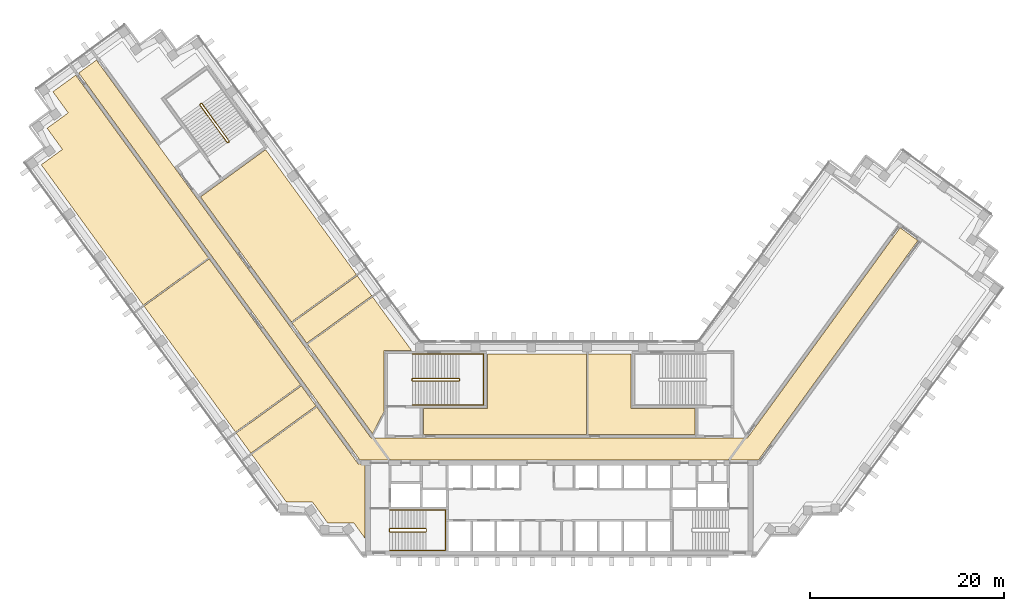
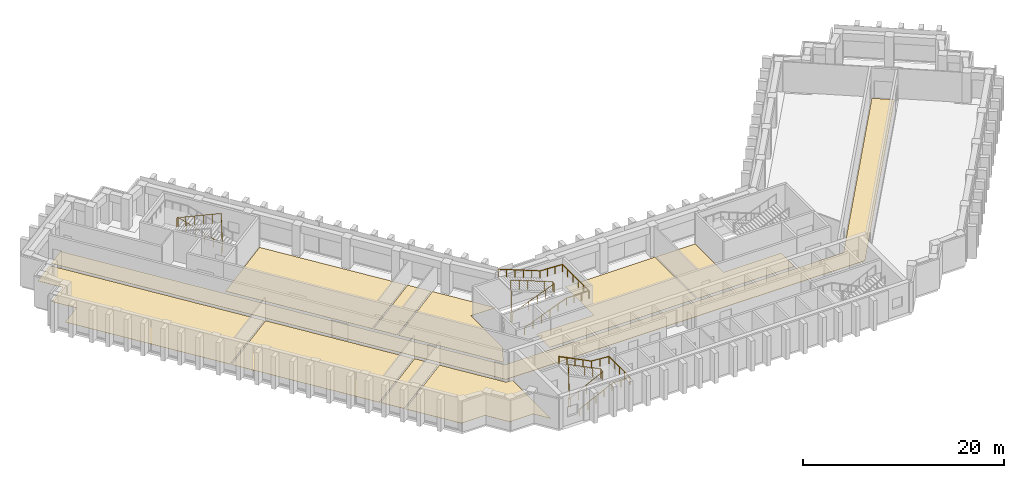
# One storey, part 12 of 13: 10 coverings, 5 railings.
"""IFC4 building model written with IfcOpenShell, lengths in metres."""

from ifc_helpers import new_model, si_unit, direction, frame, origin, origin_2d, place, context, subcontext, project, spatial, polyline, circle, outline, extrude, material, layer, layer_set, type_object, element, save


model = new_model("IFC4")

# Units and contexts
model_context = context("Model", 3, precision=1e-05, world=origin(), true_north=direction((0.0, 1.0)))
body_context = subcontext(model_context, "Body", "Model", "MODEL_VIEW")
ifc_project = project(units=[si_unit("LENGTHUNIT", "METRE"), si_unit("AREAUNIT", "SQUARE_METRE"), si_unit("VOLUMEUNIT", "CUBIC_METRE"), si_unit("PLANEANGLEUNIT", "RADIAN"), si_unit("MASSUNIT", "GRAM", prefix="KILO")], contexts=[model_context])

# Site, building, storey
site_placement = place(None, origin())
site = spatial("IfcSite", under=ifc_project, at=site_placement, CompositionType="ELEMENT")
building_placement = place(site_placement, origin())
building = spatial("IfcBuilding", under=site, at=building_placement, Name="Quipu Civic Tower", CompositionType="ELEMENT")
storey_placement = place(building_placement, frame((0.0, 0.0, 85.0)))
storey = spatial("IfcBuildingStorey", under=building, at=storey_placement, Name="L19", CompositionType="ELEMENT", Elevation=85.0)

# Coverings
ifc_material_1 = material(Name="Carpet tile on raised access floor")
ifc_layer_1 = layer(ifc_material_1, 0.02001953125)
ifc_layer_set_1 = layer_set([ifc_layer_1], Name="Carpet tile on raised access floor")
covering_type_1 = type_object("IfcCoveringType", Name="Carpet tile floor finish 20", PredefinedType="FLOORING", material=ifc_layer_set_1)
covering_1_placement = place(storey_placement, origin())
element("IfcCovering", 1, at=covering_1_placement, inside=storey, type_object=covering_type_1, Name="Carpet tile floor finish 20", PredefinedType="FLOORING", context=body_context, shape_type="SweptSolid", body=[
    extrude(outline(polyline([(2.948974609375, 1.52001953125), (2.948974609375, 9.830078125), (7.429931640625, 9.830078125), (7.430908203125, 4.179931640625), (14.030029296875, 4.179931640625), (14.030029296875, 1.52001953125), (2.948974609375, 1.52001953125)])), origin(), (0.0, 0.0, 1.0), 0.02001953125),
])
covering_2_placement = place(storey_placement, origin())
element("IfcCovering", 2, at=covering_2_placement, inside=storey, type_object=covering_type_1, Name="Carpet tile floor finish 20", PredefinedType="FLOORING", context=body_context, shape_type="SweptSolid", body=[
    extrude(outline(polyline([(-25.990966796875, 10.8330078125), (-19.26806640625, 15.716064453125), (-15.238037109375, 10.169921875), (-18.070068359375, 10.1689453125), (-18.070068359375, 3.94189453125), (-19.27197265625, 1.583984375), (-25.990966796875, 10.8330078125)])), origin(), (0.0, 0.0, 1.0), 0.02001953125),
])
covering_3_placement = place(storey_placement, origin())
element("IfcCovering", 3, at=covering_3_placement, inside=storey, type_object=covering_type_1, Name="Carpet tile floor finish 20", PredefinedType="FLOORING", context=body_context, shape_type="SweptSolid", body=[
    extrude(outline(polyline([(-31.758056640625, -0.5390625), (-25.034912109375, 4.344970703125), (-20.77490234375, -1.51904296875), (-20.070068359375, -1.52001953125), (-20.070068359375, -9.195068359375), (-21.196044921875, -7.64599609375), (-21.6630859375, -7.64599609375), (-21.666015625, -7.64404296875), (-21.669921875, -7.64111328125), (-21.675048828125, -7.639892578125), (-21.679931640625, -7.637939453125), (-21.68408203125, -7.636962890625), (-21.68896484375, -7.636962890625), (-21.694091796875, -7.635986328125), (-21.698974609375, -7.636962890625), (-21.7041015625, -7.637939453125), (-21.708984375, -7.638916015625), (-21.712890625, -7.64111328125), (-21.718017578125, -7.64306640625), (-21.721923828125, -7.64599609375), (-21.721923828125, -7.64599609375), (-23.89501953125, -7.64599609375), (-25.48193359375, -5.4619140625), (-28.181884765625, -5.4609375), (-31.758056640625, -0.5390625)])), origin(), (0.0, 0.0, 1.0), 0.02001953125),
])
covering_4_placement = place(storey_placement, origin())
element("IfcCovering", 4, at=covering_4_placement, inside=storey, type_object=covering_type_1, Name="Carpet tile floor finish 20", PredefinedType="FLOORING", context=body_context, shape_type="SweptSolid", body=[
    extrude(outline(polyline([(-53.47998046875, 29.35791015625), (-51.297119140625, 30.945068359375), (-52.883056640625, 33.12890625), (-50.698974609375, 34.717041015625), (-52.284912109375, 36.90087890625), (-49.930908203125, 38.611083984375), (-36.22705078125, 19.748046875), (-42.950927734375, 14.864990234375), (-53.47998046875, 29.35791015625)])), origin(), (0.0, 0.0, 1.0), 0.02001953125),
])
covering_5_placement = place(storey_placement, origin())
element("IfcCovering", 5, at=covering_5_placement, inside=storey, type_object=covering_type_1, Name="Carpet tile floor finish 20", PredefinedType="FLOORING", context=body_context, shape_type="SweptSolid", body=[
    extrude(outline(polyline([(-14.030029296875, 1.52001953125), (-14.030029296875, 4.179931640625), (-7.429931640625, 4.180908203125), (-7.429931640625, 9.830078125), (2.80908203125, 9.830078125), (2.80908203125, 1.52001953125), (-14.030029296875, 1.52001953125)])), origin(), (0.0, 0.0, 1.0), 0.02001953125),
])
covering_6_placement = place(storey_placement, origin())
element("IfcCovering", 6, at=covering_6_placement, inside=storey, type_object=covering_type_1, Name="Carpet tile floor finish 20", PredefinedType="FLOORING", context=body_context, shape_type="SweptSolid", body=[
    extrude(outline(polyline([(-37.0380859375, 26.0380859375), (-30.31494140625, 30.922119140625), (-20.93798828125, 18.013916015625), (-27.660888671875, 13.1298828125), (-37.0380859375, 26.0380859375)])), origin(), (0.0, 0.0, 1.0), 0.02001953125),
])
covering_7_placement = place(storey_placement, origin())
element("IfcCovering", 7, at=covering_7_placement, inside=storey, type_object=covering_type_1, Name="Carpet tile floor finish 20", PredefinedType="FLOORING", context=body_context, shape_type="SweptSolid", body=[
    extrude(outline(polyline([(-42.867919921875, 14.751953125), (-36.14404296875, 19.635009765625), (-26.705078125, 6.64208984375), (-33.427978515625, 1.758056640625), (-42.867919921875, 14.751953125)])), origin(), (0.0, 0.0, 1.0), 0.02001953125),
])
ifc_material_2 = material(Name="Ceramic floor tile")
ifc_layer_2 = layer(ifc_material_2, 0.030029296875)
ifc_layer_set_2 = layer_set([ifc_layer_2], Name="Ceramic floor tile")
covering_type_2 = type_object("IfcCoveringType", Name="Ceramic tile floor finish 30", PredefinedType="FLOORING", material=ifc_layer_set_2)
covering_8_placement = place(storey_placement, origin())
element("IfcCovering", 8, at=covering_8_placement, inside=storey, type_object=covering_type_2, Name="Ceramic tile floor finish 30", PredefinedType="FLOORING", context=body_context, shape_type="SweptSolid", body=[
    extrude(outline(polyline([(-27.577880859375, 13.01708984375), (-20.85498046875, 17.90087890625), (-19.35107421875, 15.8291015625), (-26.073974609375, 10.946044921875), (-27.577880859375, 13.01708984375)])), origin(), (0.0, 0.0, 1.0), 0.030029296875),
])
covering_9_placement = place(storey_placement, origin())
element("IfcCovering", 9, at=covering_9_placement, inside=storey, type_object=covering_type_2, Name="Ceramic tile floor finish 30", PredefinedType="FLOORING", context=body_context, shape_type="SweptSolid", body=[
    extrude(outline(polyline([(-33.344970703125, 1.64501953125), (-26.6220703125, 6.529052734375), (-25.117919921875, 4.4580078125), (-31.841064453125, -0.426025390625), (-33.344970703125, 1.64501953125)])), origin(), (0.0, 0.0, 1.0), 0.030029296875),
])

# Railings
ifc_material_3 = material(Name="Stainless steel", Category="steel")
railing_type_1 = type_object("IfcRailingType", Name="Stair guard 1100", PredefinedType="GUARDRAIL", material=ifc_material_3)
railing_1_placement = place(storey_placement, frame((-17.5, -8.550048828125, 0.15380859375)))
element("IfcRailing", 10, at=railing_1_placement, inside=storey, type_object=railing_type_1, Name="Stair 1 guard", PredefinedType="GUARDRAIL", context=body_context, shape_type="SweptSolid", body=[
    extrude(circle(Radius=0.02392578125, at=origin_2d()), frame((0.0, 0.0, 1.076171875), z_axis=(0.895751851347, 0.0, 0.444554407028), x_axis=(0.0, 1.0, 0.0)), (0.0, 0.0, 1.0), 4.15283203125),
    extrude(circle(Radius=0.02392578125, at=origin_2d()), frame((3.719970703125, 0.0, 2.92236328125), z_axis=(0.707106781187, 0.707106781187, 0.0), x_axis=(-0.707106781187, 0.707106781187, 0.0)), (0.0, 0.0, 1.0), 0.07080078125),
    extrude(circle(Radius=0.02392578125, at=origin_2d()), frame((3.77001953125, 0.050048828125, 2.92236328125), z_axis=(0.0, 1.0, 0.0), x_axis=(-1.0, 0.0, 0.0)), (0.0, 0.0, 1.0), 0.25),
    extrude(circle(Radius=0.02392578125, at=origin_2d()), frame((3.77001953125, 0.300048828125, 2.92236328125), z_axis=(-0.295599637079, 0.295599637079, 0.908428152975), x_axis=(-0.707106781187, -0.707106781187, 0.0)), (0.0, 0.0, 1.0), 0.16943359375),
    extrude(circle(Radius=0.02392578125, at=origin_2d()), frame((3.719970703125, 0.35009765625, 3.076171875), z_axis=(-0.895751851347, 0.0, 0.444554407028), x_axis=(0.0, -1.0, 0.0)), (0.0, 0.0, 1.0), 4.15283203125),
    extrude(circle(Radius=0.02392578125, at=origin_2d()), frame((0.0, 0.35009765625, 4.92236328125), z_axis=(-0.012476181752, -0.074796231092, -0.997120789425), x_axis=(0.986372223864, -0.164529134168, 0.0)), (0.0, 0.0, 1.0), 4.011474609375),
    extrude(circle(Radius=0.02392578125, at=origin_2d()), frame((-0.050048828125, 0.050048828125, 0.92236328125), z_axis=(0.0, 1.0, 0.0), x_axis=(-1.0, 0.0, 0.0)), (0.0, 0.0, 1.0), 0.25),
    extrude(circle(Radius=0.02099609375, at=origin_2d()), origin(), (0.0, 0.0, 1.0), 1.052001953125),
    extrude(circle(Radius=0.02099609375, at=origin_2d()), frame((0.929931640625, 0.0, 0.46142578125)), (0.0, 0.0, 1.0), 1.052001953125),
    extrude(circle(Radius=0.02099609375, at=origin_2d()), frame((1.85986328125, 0.0, 0.923095703125)), (0.0, 0.0, 1.0), 1.052001953125),
    extrude(circle(Radius=0.02099609375, at=origin_2d()), frame((2.7900390625, 0.0, 1.384765625)), (0.0, 0.0, 1.0), 1.052001953125),
    extrude(circle(Radius=0.02099609375, at=origin_2d()), frame((3.719970703125, 0.0, 1.84619140625)), (0.0, 0.0, 1.0), 1.052001953125),
    extrude(circle(Radius=0.02099609375, at=origin_2d()), frame((3.77001953125, 0.050048828125, 1.84619140625)), (0.0, 0.0, 1.0), 1.052001953125),
    extrude(circle(Radius=0.02099609375, at=origin_2d()), frame((3.77001953125, 0.300048828125, 1.84619140625)), (0.0, 0.0, 1.0), 1.052001953125),
    extrude(circle(Radius=0.02099609375, at=origin_2d()), frame((3.719970703125, 0.35009765625, 2.0)), (0.0, 0.0, 1.0), 1.052001953125),
    extrude(circle(Radius=0.02099609375, at=origin_2d()), frame((2.7900390625, 0.35009765625, 2.46142578125)), (0.0, 0.0, 1.0), 1.052001953125),
    extrude(circle(Radius=0.02099609375, at=origin_2d()), frame((1.85986328125, 0.35009765625, 2.923095703125)), (0.0, 0.0, 1.0), 1.052001953125),
    extrude(circle(Radius=0.02099609375, at=origin_2d()), frame((0.929931640625, 0.35009765625, 3.384765625)), (0.0, 0.0, 1.0), 1.052001953125),
    extrude(circle(Radius=0.02099609375, at=origin_2d()), frame((0.0, 0.35009765625, 3.84619140625)), (0.0, 0.0, 1.0), 1.052001953125),
    extrude(circle(Radius=0.02099609375, at=origin_2d()), frame((-0.012451171875, 0.275146484375, 2.84619140625)), (0.0, 0.0, 1.0), 1.052001953125),
    extrude(circle(Radius=0.02099609375, at=origin_2d()), frame((-0.02490234375, 0.2001953125, 1.84619140625)), (0.0, 0.0, 1.0), 1.052001953125),
    extrude(circle(Radius=0.02099609375, at=origin_2d()), frame((-0.03759765625, 0.125, 0.84619140625)), (0.0, 0.0, 1.0), 1.052001953125),
    extrude(circle(Radius=0.02099609375, at=origin_2d()), frame((-0.050048828125, 0.050048828125, -0.15380859375)), (0.0, 0.0, 1.0), 1.052001953125),
    extrude(circle(Radius=0.02099609375, at=origin_2d()), frame((-0.050048828125, 0.300048828125, -0.15380859375)), (0.0, 0.0, 1.0), 1.052001953125),
])
railing_2_placement = place(storey_placement, frame((-15.14990234375, 7.050048828125, 0.11767578125)))
element("IfcRailing", 11, at=railing_2_placement, inside=storey, type_object=railing_type_1, Name="Stair 3 guard", PredefinedType="GUARDRAIL", context=body_context, shape_type="SweptSolid", body=[
    extrude(circle(Radius=0.02392578125, at=origin_2d()), frame((0.0, 0.0, 1.076171875), z_axis=(0.930970042603, 0.0, 0.365095576219), x_axis=(0.0, 1.0, 0.0)), (0.0, 0.0, 1.0), 5.15576171875),
    extrude(circle(Radius=0.02392578125, at=origin_2d()), frame((4.7998046875, 0.0, 2.95849609375), z_axis=(0.707106781187, 0.707106781187, 0.0), x_axis=(-0.707106781187, 0.707106781187, 0.0)), (0.0, 0.0, 1.0), 0.07080078125),
    extrude(circle(Radius=0.02392578125, at=origin_2d()), frame((4.849853515625, 0.050048828125, 2.95849609375), z_axis=(0.0, 1.0, 0.0), x_axis=(-1.0, 0.0, 0.0)), (0.0, 0.0, 1.0), 0.14990234375),
    extrude(circle(Radius=0.02392578125, at=origin_2d()), frame((4.849853515625, 0.199951171875, 2.95849609375), z_axis=(-0.364463019033, 0.364463019033, 0.856932561824), x_axis=(-0.707106781187, -0.707106781187, 0.0)), (0.0, 0.0, 1.0), 0.13720703125),
    extrude(circle(Radius=0.02392578125, at=origin_2d()), frame((4.7998046875, 0.25, 3.076171875), z_axis=(-0.930970042603, 0.0, 0.365095576219), x_axis=(0.0, -1.0, 0.0)), (0.0, 0.0, 1.0), 5.15576171875),
    extrude(circle(Radius=0.02392578125, at=origin_2d()), frame((0.0, 0.25, 4.95849609375), z_axis=(-0.012495627992, -0.049921557685, -0.998674970829), x_axis=(0.970072785993, -0.242814311512, 0.0)), (0.0, 0.0, 1.0), 4.00537109375),
    extrude(circle(Radius=0.02392578125, at=origin_2d()), frame((-0.050048828125, 0.050048828125, 0.95849609375), z_axis=(0.0, 1.0, 0.0), x_axis=(-1.0, 0.0, 0.0)), (0.0, 0.0, 1.0), 0.14990234375),
    extrude(circle(Radius=0.02099609375, at=origin_2d()), origin(), (0.0, 0.0, 1.0), 1.052001953125),
    extrude(circle(Radius=0.02099609375, at=origin_2d()), frame((0.9599609375, 0.0, 0.37646484375)), (0.0, 0.0, 1.0), 1.052001953125),
    extrude(circle(Radius=0.02099609375, at=origin_2d()), frame((1.919921875, 0.0, 0.7529296875)), (0.0, 0.0, 1.0), 1.052001953125),
    extrude(circle(Radius=0.02099609375, at=origin_2d()), frame((2.8798828125, 0.0, 1.12939453125)), (0.0, 0.0, 1.0), 1.052001953125),
    extrude(circle(Radius=0.02099609375, at=origin_2d()), frame((3.83984375, 0.0, 1.505859375)), (0.0, 0.0, 1.0), 1.052001953125),
    extrude(circle(Radius=0.02099609375, at=origin_2d()), frame((4.7998046875, 0.0, 1.88232421875)), (0.0, 0.0, 1.0), 1.052001953125),
    extrude(circle(Radius=0.02099609375, at=origin_2d()), frame((4.849853515625, 0.050048828125, 1.88232421875)), (0.0, 0.0, 1.0), 1.052001953125),
    extrude(circle(Radius=0.02099609375, at=origin_2d()), frame((4.849853515625, 0.199951171875, 1.88232421875)), (0.0, 0.0, 1.0), 1.052001953125),
    extrude(circle(Radius=0.02099609375, at=origin_2d()), frame((4.7998046875, 0.25, 2.0)), (0.0, 0.0, 1.0), 1.052001953125),
    extrude(circle(Radius=0.02099609375, at=origin_2d()), frame((3.83984375, 0.25, 2.37646484375)), (0.0, 0.0, 1.0), 1.052001953125),
    extrude(circle(Radius=0.02099609375, at=origin_2d()), frame((2.8798828125, 0.25, 2.7529296875)), (0.0, 0.0, 1.0), 1.052001953125),
    extrude(circle(Radius=0.02099609375, at=origin_2d()), frame((1.919921875, 0.25, 3.12939453125)), (0.0, 0.0, 1.0), 1.052001953125),
    extrude(circle(Radius=0.02099609375, at=origin_2d()), frame((0.9599609375, 0.25, 3.505859375)), (0.0, 0.0, 1.0), 1.052001953125),
    extrude(circle(Radius=0.02099609375, at=origin_2d()), frame((0.0, 0.25, 3.88232421875)), (0.0, 0.0, 1.0), 1.052001953125),
    extrude(circle(Radius=0.02099609375, at=origin_2d()), frame((-0.012451171875, 0.199951171875, 2.88232421875)), (0.0, 0.0, 1.0), 1.052001953125),
    extrude(circle(Radius=0.02099609375, at=origin_2d()), frame((-0.02490234375, 0.14990234375, 1.88232421875)), (0.0, 0.0, 1.0), 1.052001953125),
    extrude(circle(Radius=0.02099609375, at=origin_2d()), frame((-0.03759765625, 0.10009765625, 0.88232421875)), (0.0, 0.0, 1.0), 1.052001953125),
    extrude(circle(Radius=0.02099609375, at=origin_2d()), frame((-0.050048828125, 0.050048828125, -0.11767578125)), (0.0, 0.0, 1.0), 1.052001953125),
    extrude(circle(Radius=0.02099609375, at=origin_2d()), frame((-0.050048828125, 0.199951171875, -0.11767578125)), (0.0, 0.0, 1.0), 1.052001953125),
])
railing_3_placement = place(storey_placement, frame((-34.078857421875, 31.79736328125, 0.11767578125)))
element("IfcRailing", 12, at=railing_3_placement, inside=storey, type_object=railing_type_1, Name="Stair 6 guard", PredefinedType="GUARDRAIL", context=body_context, shape_type="SweptSolid", body=[
    extrude(circle(Radius=0.02392578125, at=origin_2d()), frame((0.0, 0.0, 1.076171875), z_axis=(-0.54720100349, 0.753182689643, 0.365084781664), x_axis=(-0.809026317077, -0.587772420479, 0.0)), (0.0, 0.0, 1.0), 5.15576171875),
    extrude(circle(Radius=0.02392578125, at=origin_2d()), frame((-2.8212890625, 3.88330078125, 2.95849609375), z_axis=(-0.987846838465, 0.155430446612, 0.0), x_axis=(-0.155430446612, -0.987846838465, 0.0)), (0.0, 0.0, 1.0), 0.07080078125),
    extrude(circle(Radius=0.02392578125, at=origin_2d()), frame((-2.89111328125, 3.894287109375, 2.95849609375), z_axis=(-0.809649071907, -0.586914287065, 0.0), x_axis=(0.586914287065, -0.809649071907, 0.0)), (0.0, 0.0, 1.0), 0.150146484375),
    extrude(circle(Radius=0.02392578125, at=origin_2d()), frame((-3.0126953125, 3.80615234375, 2.95849609375), z_axis=(-0.080033047627, -0.508654480474, 0.857242865693), x_axis=(0.987846838465, -0.155430446612, 0.0)), (0.0, 0.0, 1.0), 0.13720703125),
    extrude(circle(Radius=0.02392578125, at=origin_2d()), frame((-3.023681640625, 3.736328125, 3.076171875), z_axis=(0.54720100349, -0.753182689643, 0.365084781664), x_axis=(0.809026317077, 0.587772420479, 0.0)), (0.0, 0.0, 1.0), 5.15576171875),
    extrude(circle(Radius=0.02392578125, at=origin_2d()), frame((-0.202392578125, -0.14697265625, 4.95849609375), z_axis=(0.047788004556, 0.019261491632, -0.998671768681), x_axis=(-0.373837031195, 0.92749440651, 0.0)), (0.0, 0.0, 1.0), 4.00537109375),
    extrude(circle(Radius=0.02392578125, at=origin_2d()), frame((-0.010986328125, -0.06982421875, 0.95849609375), z_axis=(-0.809087927272, -0.587687609145, 0.0), x_axis=(0.587687609145, -0.809087927272, 0.0)), (0.0, 0.0, 1.0), 0.14990234375),
    extrude(circle(Radius=0.02099609375, at=origin_2d()), origin(), (0.0, 0.0, 1.0), 1.052001953125),
    extrude(circle(Radius=0.02099609375, at=origin_2d()), frame((-0.564208984375, 0.776611328125, 0.37646484375)), (0.0, 0.0, 1.0), 1.052001953125),
    extrude(circle(Radius=0.02099609375, at=origin_2d()), frame((-1.12841796875, 1.55322265625, 0.7529296875)), (0.0, 0.0, 1.0), 1.052001953125),
    extrude(circle(Radius=0.02099609375, at=origin_2d()), frame((-1.69287109375, 2.330078125, 1.12939453125)), (0.0, 0.0, 1.0), 1.052001953125),
    extrude(circle(Radius=0.02099609375, at=origin_2d()), frame((-2.257080078125, 3.106689453125, 1.505859375)), (0.0, 0.0, 1.0), 1.052001953125),
    extrude(circle(Radius=0.02099609375, at=origin_2d()), frame((-2.8212890625, 3.88330078125, 1.88232421875)), (0.0, 0.0, 1.0), 1.052001953125),
    extrude(circle(Radius=0.02099609375, at=origin_2d()), frame((-2.89111328125, 3.894287109375, 1.88232421875)), (0.0, 0.0, 1.0), 1.052001953125),
    extrude(circle(Radius=0.02099609375, at=origin_2d()), frame((-3.0126953125, 3.80615234375, 1.88232421875)), (0.0, 0.0, 1.0), 1.052001953125),
    extrude(circle(Radius=0.02099609375, at=origin_2d()), frame((-3.023681640625, 3.736328125, 2.0)), (0.0, 0.0, 1.0), 1.052001953125),
    extrude(circle(Radius=0.02099609375, at=origin_2d()), frame((-2.45947265625, 2.959716796875, 2.37646484375)), (0.0, 0.0, 1.0), 1.052001953125),
    extrude(circle(Radius=0.02099609375, at=origin_2d()), frame((-1.895263671875, 2.18310546875, 2.7529296875)), (0.0, 0.0, 1.0), 1.052001953125),
    extrude(circle(Radius=0.02099609375, at=origin_2d()), frame((-1.330810546875, 1.40625, 3.12939453125)), (0.0, 0.0, 1.0), 1.052001953125),
    extrude(circle(Radius=0.02099609375, at=origin_2d()), frame((-0.7666015625, 0.629638671875, 3.505859375)), (0.0, 0.0, 1.0), 1.052001953125),
    extrude(circle(Radius=0.02099609375, at=origin_2d()), frame((-0.202392578125, -0.14697265625, 3.88232421875)), (0.0, 0.0, 1.0), 1.052001953125),
    extrude(circle(Radius=0.02099609375, at=origin_2d()), frame((-0.154541015625, -0.127685546875, 2.88232421875)), (0.0, 0.0, 1.0), 1.052001953125),
    extrude(circle(Radius=0.02099609375, at=origin_2d()), frame((-0.106689453125, -0.1083984375, 1.88232421875)), (0.0, 0.0, 1.0), 1.052001953125),
    extrude(circle(Radius=0.02099609375, at=origin_2d()), frame((-0.058837890625, -0.089111328125, 0.88232421875)), (0.0, 0.0, 1.0), 1.052001953125),
    extrude(circle(Radius=0.02099609375, at=origin_2d()), frame((-0.010986328125, -0.06982421875, -0.11767578125)), (0.0, 0.0, 1.0), 1.052001953125),
    extrude(circle(Radius=0.02099609375, at=origin_2d()), frame((-0.13232421875, -0.157958984375, -0.11767578125)), (0.0, 0.0, 1.0), 1.052001953125),
])
ifc_material_4 = material(Name="Stainless steel", Category="steel")
railing_type_2 = type_object("IfcRailingType", Name="Stair handrail", PredefinedType="HANDRAIL", material=ifc_material_4)
railing_4_placement = place(storey_placement, frame((-17.5, -10.449951171875, 0.15380859375)))
element("IfcRailing", 13, at=railing_4_placement, inside=storey, type_object=railing_type_2, Name="Stair 1 handrail", PredefinedType="HANDRAIL", context=body_context, shape_type="SweptSolid", body=[
    extrude(circle(Radius=0.02392578125, at=origin_2d()), frame((0.0, 0.0, 0.8759765625), z_axis=(0.895751851347, 0.0, 0.444554407028), x_axis=(0.0, 1.0, 0.0)), (0.0, 0.0, 1.0), 4.15283203125),
    extrude(circle(Radius=0.02392578125, at=origin_2d()), frame((3.719970703125, 0.0, 2.72216796875), z_axis=(1.0, 0.0, 0.0), x_axis=(0.0, 1.0, 0.0)), (0.0, 0.0, 1.0), 2.030029296875),
    extrude(circle(Radius=0.02392578125, at=origin_2d()), frame((5.75, 0.0, 2.72216796875), z_axis=(0.0, 1.0, 0.0), x_axis=(-1.0, 0.0, 0.0)), (0.0, 0.0, 1.0), 4.14990234375),
    extrude(circle(Radius=0.02392578125, at=origin_2d()), frame((5.75, 4.14990234375, 2.72216796875), z_axis=(-0.997142003663, 0.0, 0.075550145798), x_axis=(0.0, -1.0, 0.0)), (0.0, 0.0, 1.0), 2.035888671875),
    extrude(circle(Radius=0.02392578125, at=origin_2d()), frame((3.719970703125, 4.14990234375, 2.8759765625), z_axis=(-0.895751851347, 0.0, 0.444554407028), x_axis=(0.0, -1.0, 0.0)), (0.0, 0.0, 1.0), 4.15283203125),
    extrude(circle(Radius=0.02099609375, at=origin_2d()), origin(), (0.0, 0.0, 1.0), 0.851806640625),
    extrude(circle(Radius=0.02099609375, at=origin_2d()), frame((0.929931640625, 0.0, 0.46142578125)), (0.0, 0.0, 1.0), 0.851806640625),
    extrude(circle(Radius=0.02099609375, at=origin_2d()), frame((1.85986328125, 0.0, 0.923095703125)), (0.0, 0.0, 1.0), 0.851806640625),
    extrude(circle(Radius=0.02099609375, at=origin_2d()), frame((2.7900390625, 0.0, 1.384765625)), (0.0, 0.0, 1.0), 0.851806640625),
    extrude(circle(Radius=0.02099609375, at=origin_2d()), frame((3.719970703125, 0.0, 1.84619140625)), (0.0, 0.0, 1.0), 0.851806640625),
    extrude(circle(Radius=0.02099609375, at=origin_2d()), frame((4.73486328125, 0.0, 1.84619140625)), (0.0, 0.0, 1.0), 0.851806640625),
    extrude(circle(Radius=0.02099609375, at=origin_2d()), frame((5.75, 0.0, 1.84619140625)), (0.0, 0.0, 1.0), 0.851806640625),
    extrude(circle(Radius=0.02099609375, at=origin_2d()), frame((5.75, 1.03759765625, 1.84619140625)), (0.0, 0.0, 1.0), 0.851806640625),
    extrude(circle(Radius=0.02099609375, at=origin_2d()), frame((5.75, 2.074951171875, 1.84619140625)), (0.0, 0.0, 1.0), 0.851806640625),
    extrude(circle(Radius=0.02099609375, at=origin_2d()), frame((5.75, 3.1123046875, 1.84619140625)), (0.0, 0.0, 1.0), 0.851806640625),
    extrude(circle(Radius=0.02099609375, at=origin_2d()), frame((5.75, 4.14990234375, 1.84619140625)), (0.0, 0.0, 1.0), 0.851806640625),
    extrude(circle(Radius=0.02099609375, at=origin_2d()), frame((4.73486328125, 4.14990234375, 1.923095703125)), (0.0, 0.0, 1.0), 0.851806640625),
    extrude(circle(Radius=0.02099609375, at=origin_2d()), frame((3.719970703125, 4.14990234375, 2.0)), (0.0, 0.0, 1.0), 0.851806640625),
    extrude(circle(Radius=0.02099609375, at=origin_2d()), frame((2.7900390625, 4.14990234375, 2.46142578125)), (0.0, 0.0, 1.0), 0.851806640625),
    extrude(circle(Radius=0.02099609375, at=origin_2d()), frame((1.85986328125, 4.14990234375, 2.923095703125)), (0.0, 0.0, 1.0), 0.851806640625),
    extrude(circle(Radius=0.02099609375, at=origin_2d()), frame((0.929931640625, 4.14990234375, 3.384765625)), (0.0, 0.0, 1.0), 0.851806640625),
    extrude(circle(Radius=0.02099609375, at=origin_2d()), frame((0.0, 4.14990234375, 3.84619140625)), (0.0, 0.0, 1.0), 0.851806640625),
])
railing_5_placement = place(storey_placement, frame((-15.14990234375, 4.550048828125, 0.11767578125)))
element("IfcRailing", 14, at=railing_5_placement, inside=storey, type_object=railing_type_2, Name="Stair 3 handrail", PredefinedType="HANDRAIL", context=body_context, shape_type="SweptSolid", body=[
    extrude(circle(Radius=0.02392578125, at=origin_2d()), frame((0.0, 0.0, 0.8759765625), z_axis=(0.930970042603, 0.0, 0.365095576219), x_axis=(0.0, 1.0, 0.0)), (0.0, 0.0, 1.0), 5.15576171875),
    extrude(circle(Radius=0.02392578125, at=origin_2d()), frame((4.7998046875, 0.0, 2.75830078125), z_axis=(1.0, 0.0, 0.0), x_axis=(0.0, 1.0, 0.0)), (0.0, 0.0, 1.0), 2.550048828125),
    extrude(circle(Radius=0.02392578125, at=origin_2d()), frame((7.349853515625, 0.0, 2.75830078125), z_axis=(0.0, 1.0, 0.0), x_axis=(-1.0, 0.0, 0.0)), (0.0, 0.0, 1.0), 5.25),
    extrude(circle(Radius=0.02392578125, at=origin_2d()), frame((7.349853515625, 5.25, 2.75830078125), z_axis=(-0.998936948642, 0.0, 0.04609742549), x_axis=(0.0, -1.0, 0.0)), (0.0, 0.0, 1.0), 2.552734375),
    extrude(circle(Radius=0.02392578125, at=origin_2d()), frame((4.7998046875, 5.25, 2.8759765625), z_axis=(-0.930970042603, 0.0, 0.365095576219), x_axis=(0.0, -1.0, 0.0)), (0.0, 0.0, 1.0), 5.15576171875),
    extrude(circle(Radius=0.02099609375, at=origin_2d()), origin(), (0.0, 0.0, 1.0), 0.851806640625),
    extrude(circle(Radius=0.02099609375, at=origin_2d()), frame((0.9599609375, 0.0, 0.37646484375)), (0.0, 0.0, 1.0), 0.851806640625),
    extrude(circle(Radius=0.02099609375, at=origin_2d()), frame((1.919921875, 0.0, 0.7529296875)), (0.0, 0.0, 1.0), 0.851806640625),
    extrude(circle(Radius=0.02099609375, at=origin_2d()), frame((2.8798828125, 0.0, 1.12939453125)), (0.0, 0.0, 1.0), 0.851806640625),
    extrude(circle(Radius=0.02099609375, at=origin_2d()), frame((3.83984375, 0.0, 1.505859375)), (0.0, 0.0, 1.0), 0.851806640625),
    extrude(circle(Radius=0.02099609375, at=origin_2d()), frame((4.7998046875, 0.0, 1.88232421875)), (0.0, 0.0, 1.0), 0.851806640625),
    extrude(circle(Radius=0.02099609375, at=origin_2d()), frame((5.64990234375, 0.0, 1.88232421875)), (0.0, 0.0, 1.0), 0.851806640625),
    extrude(circle(Radius=0.02099609375, at=origin_2d()), frame((6.499755859375, 0.0, 1.88232421875)), (0.0, 0.0, 1.0), 0.851806640625),
    extrude(circle(Radius=0.02099609375, at=origin_2d()), frame((7.349853515625, 0.0, 1.88232421875)), (0.0, 0.0, 1.0), 0.851806640625),
    extrude(circle(Radius=0.02099609375, at=origin_2d()), frame((7.349853515625, 1.050048828125, 1.88232421875)), (0.0, 0.0, 1.0), 0.851806640625),
    extrude(circle(Radius=0.02099609375, at=origin_2d()), frame((7.349853515625, 2.10009765625, 1.88232421875)), (0.0, 0.0, 1.0), 0.851806640625),
    extrude(circle(Radius=0.02099609375, at=origin_2d()), frame((7.349853515625, 3.14990234375, 1.88232421875)), (0.0, 0.0, 1.0), 0.851806640625),
    extrude(circle(Radius=0.02099609375, at=origin_2d()), frame((7.349853515625, 4.199951171875, 1.88232421875)), (0.0, 0.0, 1.0), 0.851806640625),
    extrude(circle(Radius=0.02099609375, at=origin_2d()), frame((7.349853515625, 5.25, 1.88232421875)), (0.0, 0.0, 1.0), 0.851806640625),
    extrude(circle(Radius=0.02099609375, at=origin_2d()), frame((6.499755859375, 5.25, 1.921630859375)), (0.0, 0.0, 1.0), 0.851806640625),
    extrude(circle(Radius=0.02099609375, at=origin_2d()), frame((5.64990234375, 5.25, 1.960693359375)), (0.0, 0.0, 1.0), 0.851806640625),
    extrude(circle(Radius=0.02099609375, at=origin_2d()), frame((4.7998046875, 5.25, 2.0)), (0.0, 0.0, 1.0), 0.851806640625),
    extrude(circle(Radius=0.02099609375, at=origin_2d()), frame((3.83984375, 5.25, 2.37646484375)), (0.0, 0.0, 1.0), 0.851806640625),
    extrude(circle(Radius=0.02099609375, at=origin_2d()), frame((2.8798828125, 5.25, 2.7529296875)), (0.0, 0.0, 1.0), 0.851806640625),
    extrude(circle(Radius=0.02099609375, at=origin_2d()), frame((1.919921875, 5.25, 3.12939453125)), (0.0, 0.0, 1.0), 0.851806640625),
    extrude(circle(Radius=0.02099609375, at=origin_2d()), frame((0.9599609375, 5.25, 3.505859375)), (0.0, 0.0, 1.0), 0.851806640625),
    extrude(circle(Radius=0.02099609375, at=origin_2d()), frame((0.0, 5.25, 3.88232421875)), (0.0, 0.0, 1.0), 0.851806640625),
])

# Covering
ifc_material_5 = material(Name="Terrazzo floor finish")
ifc_layer_3 = layer(ifc_material_5, 0.0400390625)
ifc_layer_set_3 = layer_set([ifc_layer_3], Name="Terrazzo floor finish")
covering_type_3 = type_object("IfcCoveringType", Name="Terrazzo floor finish 40", PredefinedType="FLOORING", material=ifc_layer_set_3)
covering_10_placement = place(storey_placement, origin())
element("IfcCovering", 15, at=covering_10_placement, inside=storey, type_object=covering_type_3, Name="Terrazzo floor finish 40", PredefinedType="FLOORING", context=body_context, shape_type="SweptSolid", body=[
    extrude(outline(polyline([(20.574951171875, -1.1298828125), (-20.574951171875, -1.1298828125), (-49.615966796875, 38.840087890625), (-47.787109375, 40.16796875), (-19.425048828125, 1.1298828125), (19.425048828125, 1.1298828125), (35.208984375, 22.85498046875), (37.037109375, 21.527099609375), (20.574951171875, -1.1298828125)])), origin(), (0.0, 0.0, 1.0), 0.0400390625),
])

save(model, "model.ifc")
